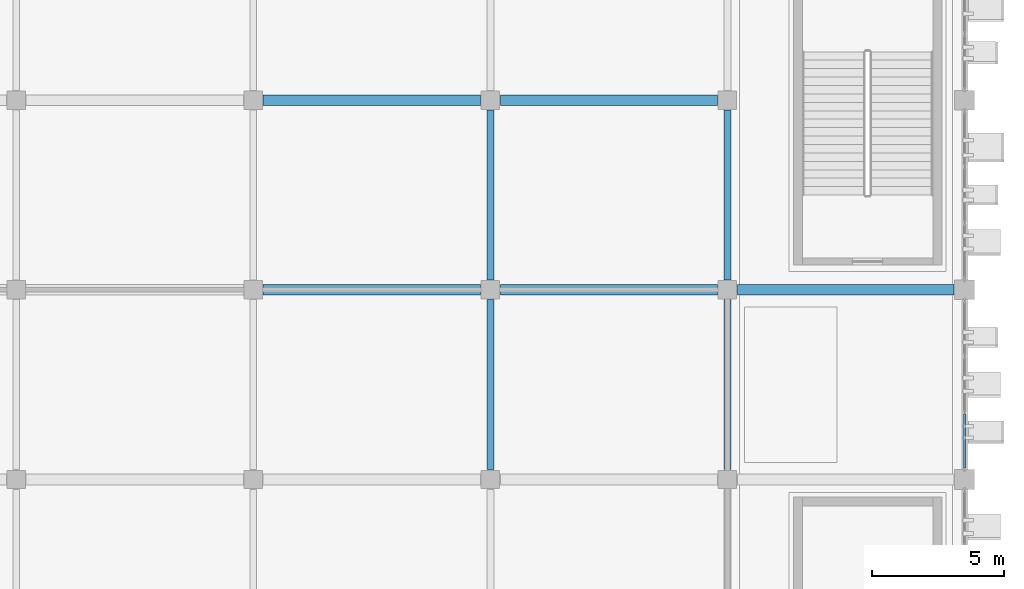
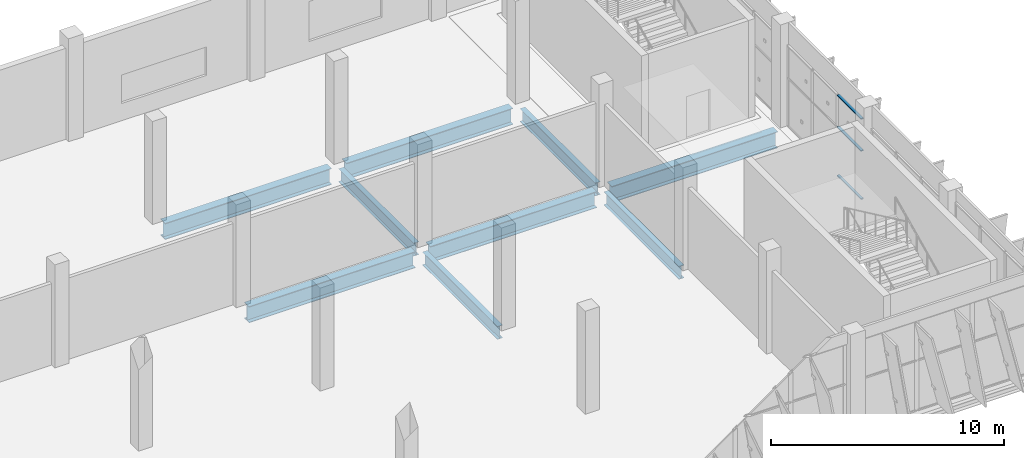
# One storey, part 64 of 189: 9 beams, 3 members, 1 element without a shape of its own.
"""IFC4 building model written with IfcOpenShell, lengths in metres."""

from ifc_helpers import new_model, si_unit, direction, frame, origin, origin_2d, place, context, subcontext, project, spatial, hollow_rectangle, i_section, extrude, material, layer, layer_set, material_profile, profile_set, type_object, element, aggregate, save


model = new_model("IFC4")

# Units and contexts
model_context = context("Model", 3, precision=1e-05, world=origin(), true_north=direction((0.0, 1.0)))
body_context = subcontext(model_context, "Body", "Model", "MODEL_VIEW")
ifc_project = project(units=[si_unit("LENGTHUNIT", "METRE"), si_unit("AREAUNIT", "SQUARE_METRE"), si_unit("VOLUMEUNIT", "CUBIC_METRE"), si_unit("PLANEANGLEUNIT", "RADIAN"), si_unit("MASSUNIT", "GRAM", prefix="KILO")], contexts=[model_context])

# Site, building, storey
site_placement = place(None, origin())
site = spatial("IfcSite", under=ifc_project, at=site_placement, CompositionType="ELEMENT")
building_placement = place(site_placement, origin())
building = spatial("IfcBuilding", under=site, at=building_placement, Name="Celestram Park Convention Centre", CompositionType="ELEMENT")
storey_placement = place(building_placement, frame((0.0, 0.0, 5.39990234375)))
storey = spatial("IfcBuildingStorey", under=building, at=storey_placement, Name="L01", CompositionType="ELEMENT", Elevation=5.39990234375)

# Curtain wall, members
ifc_material_1 = material(Name="Anodised Aluminium Alloy 6063-T6", Category="aluminium")
ifc_layer = layer(ifc_material_1, 0.179931640625)
ifc_layer_set = layer_set([ifc_layer], Name="Anodised Aluminium Alloy 6063-T6")
curtain_wall_type = type_object("IfcCurtainWallType", Name="ARC-CW-645X426", PredefinedType="NOTDEFINED", material=ifc_layer_set)
curtain_wall_placement = place(storey_placement, origin())
curtain_wall = element("IfcCurtainWall", 1, at=curtain_wall_placement, inside=storey, type_object=curtain_wall_type, Name="Unitised curtain wall CU-L01-103", PredefinedType="NOTDEFINED")
ifc_material_profile_1 = material_profile(ifc_material_1, hollow_rectangle(XDim=0.1201171875, YDim=0.06005859375, WallThickness=0.0029296875, at=origin_2d()), Name="ALU120X60X3")
ifc_profile_set_1 = profile_set([ifc_material_profile_1], Name="Anodised Aluminium Alloy 6063-T6")
member_type = type_object("IfcMemberType", Name="ARC-CWT-120", PredefinedType="USERDEFINED", material=ifc_profile_set_1)
member_1_placement = place(storey_placement, frame((216.0, 16.891845703125, 0.030029296875), z_axis=(0.0, -1.0, 0.0), x_axis=(1.0, 0.0, 0.0)))
member_1 = element("IfcMember", 2, at=member_1_placement, type_object=member_type, Name="CW-64X42 transom 3.1", ObjectType="TRANSOM", PredefinedType="USERDEFINED", context=body_context, shape_type="SweptSolid", body=[
    extrude(hollow_rectangle(XDim=0.1201171875, YDim=0.06005859375, WallThickness=0.0029296875, at=origin_2d()), origin(), (0.0, 0.0, 1.0), 2.053955078125),
])
member_2_placement = place(storey_placement, frame((216.0, 16.891845703125, 2.55810546875), z_axis=(0.0, -1.0, 0.0), x_axis=(1.0, 0.0, 0.0)))
member_2 = element("IfcMember", 3, at=member_2_placement, type_object=member_type, Name="CW-64X42 transom 3.2", ObjectType="TRANSOM", PredefinedType="USERDEFINED", context=body_context, shape_type="SweptSolid", body=[
    extrude(hollow_rectangle(XDim=0.1201171875, YDim=0.06005859375, WallThickness=0.0029296875, at=origin_2d()), origin(), (0.0, 0.0, 1.0), 2.053955078125),
])
member_3_placement = place(storey_placement, frame((216.0, 16.891845703125, 4.234130859375), z_axis=(0.0, -1.0, 0.0), x_axis=(1.0, 0.0, 0.0)))
member_3 = element("IfcMember", 4, at=member_3_placement, type_object=member_type, Name="CW-64X42 transom 3.3", ObjectType="TRANSOM", PredefinedType="USERDEFINED", context=body_context, shape_type="SweptSolid", body=[
    extrude(hollow_rectangle(XDim=0.1201171875, YDim=0.06005859375, WallThickness=0.0029296875, at=origin_2d()), origin(), (0.0, 0.0, 1.0), 2.053955078125),
])
aggregate(curtain_wall, [member_1, member_2, member_3])

# Beams
ifc_material_2 = material(Name="Steel ASTM A992 Grade 50", Category="steel")
ifc_material_profile_2 = material_profile(ifc_material_2, i_section(OverallWidth=0.25390625, OverallDepth=0.68310546875, WebThickness=0.012451171875, FlangeThickness=0.01904296875, at=origin_2d()), Name="W27X94")
ifc_profile_set_2 = profile_set([ifc_material_profile_2], Name="Steel ASTM A992 Grade 50")
beam_type_1 = type_object("IfcBeamType", Name="STR-BM-W27X94", PredefinedType="BEAM", material=ifc_profile_set_2)
for number, where, z_axis, x_axis, name in (
    (5, (198.0, 14.77294921875, -0.621337890625), (0.0, 1.0, 0.0), (-1.0, 0.0, 0.0), "Primary Y-girder BG-L01-0491"),
    (6, (198.0, 21.972900390625, -0.621337890625), (0.0, 1.0, 0.0), (-1.0, 0.0, 0.0), "Primary Y-girder BG-L01-0493"),
    (7, (207.0, 14.77294921875, -0.621337890625), (0.0, 1.0, 0.0), (-1.0, 0.0, 0.0), "Primary Y-girder BG-L01-0516"),
    (8, (207.0, 21.972900390625, -0.621337890625), (0.0, 1.0, 0.0), (-1.0, 0.0, 0.0), "Primary Y-girder BG-L01-0518"),
):
    element("IfcBeam", number, at=place(storey_placement, frame(where, z_axis=z_axis, x_axis=x_axis)), inside=storey, type_object=beam_type_1, Name=name, PredefinedType="BEAM", context=body_context, shape_type="SweptSolid", body=[
        extrude(i_section(OverallWidth=0.25390625, OverallDepth=0.68310546875, WebThickness=0.012451171875, FlangeThickness=0.01904296875, at=origin_2d()), origin(), (0.0, 0.0, 1.0), 6.4541015625),
    ])
ifc_material_profile_3 = material_profile(ifc_material_2, i_section(OverallWidth=0.40087890625, OverallDepth=0.85595703125, WebThickness=0.018310546875, FlangeThickness=0.029296875, at=origin_2d()), Name="W33X201")
ifc_profile_set_3 = profile_set([ifc_material_profile_3], Name="Steel ASTM A992 Grade 50")
beam_type_2 = type_object("IfcBeamType", Name="STR-BM-W33X201", PredefinedType="BEAM", material=ifc_profile_set_3)
for number, where, z_axis, x_axis, name in (
    (9, (189.373046875, 21.60009765625, -0.7080078125), (1.0, 0.0, 0.0), (0.0, 1.0, 0.0), "Primary X-girder BG-L01-0466"),
    (10, (189.373046875, 28.800048828125, -0.7080078125), (1.0, 0.0, 0.0), (0.0, 1.0, 0.0), "Primary X-girder BG-L01-0468"),
    (11, (198.373046875, 21.60009765625, -0.7080078125), (1.0, 0.0, 0.0), (0.0, 1.0, 0.0), "Primary X-girder BG-L01-0492"),
    (12, (198.373046875, 28.800048828125, -0.7080078125), (1.0, 0.0, 0.0), (0.0, 1.0, 0.0), "Primary X-girder BG-L01-0494"),
):
    element("IfcBeam", number, at=place(storey_placement, frame(where, z_axis=z_axis, x_axis=x_axis)), inside=storey, type_object=beam_type_2, Name=name, PredefinedType="BEAM", context=body_context, shape_type="SweptSolid", body=[
        extrude(i_section(OverallWidth=0.40087890625, OverallDepth=0.85595703125, WebThickness=0.018310546875, FlangeThickness=0.029296875, at=origin_2d()), origin(), (0.0, 0.0, 1.0), 8.25390625),
    ])
beam_placement = place(storey_placement, frame((207.373046875, 21.60009765625, -0.7080078125), z_axis=(1.0, 0.0, 0.0), x_axis=(0.0, 1.0, 0.0)))
element("IfcBeam", 13, at=beam_placement, inside=storey, type_object=beam_type_2, Name="Primary X-girder BG-L01-0517", PredefinedType="BEAM", context=body_context, shape_type="SweptSolid", body=[
    extrude(i_section(OverallWidth=0.40087890625, OverallDepth=0.85595703125, WebThickness=0.018310546875, FlangeThickness=0.029296875, at=origin_2d()), origin(), (0.0, 0.0, 1.0), 8.22900390625),
])

save(model, "model.ifc")
